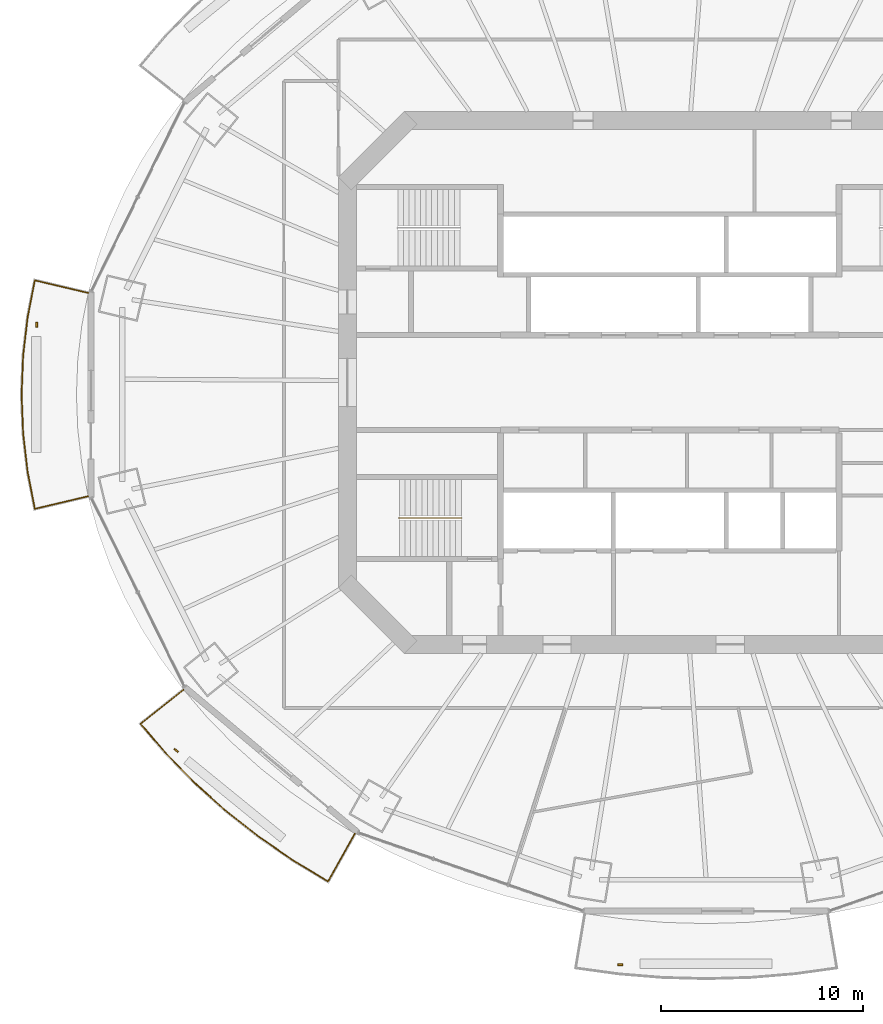
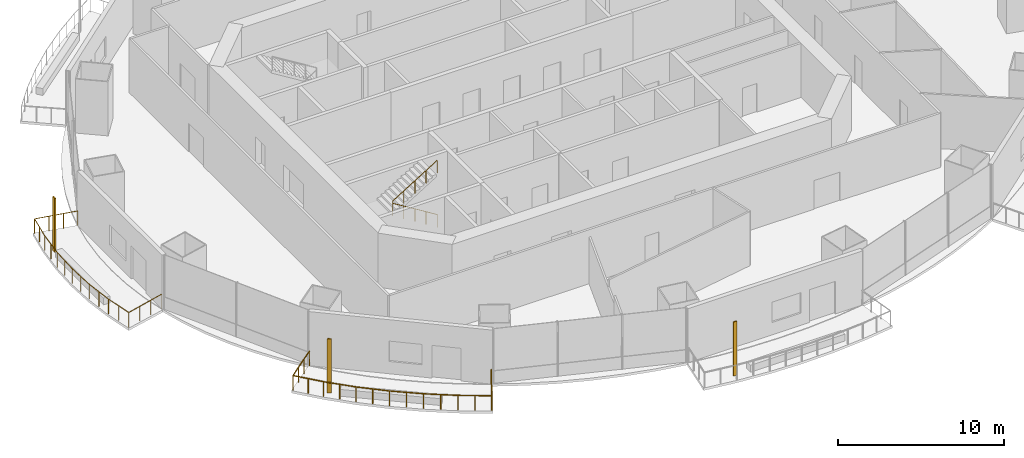
# One storey, part 15 of 20: 3 railings, 3 shading devices.
"""IFC4 building model written with IfcOpenShell, lengths in metres."""

from ifc_helpers import new_model, si_unit, direction, frame, origin, origin_2d, place, context, subcontext, project, spatial, rectangle, circle, extrude, material, material_profile, profile_set, type_object, element, save


model = new_model("IFC4")

# Units and contexts
model_context = context("Model", 3, precision=1e-05, world=origin(), true_north=direction((0.0, 1.0)))
body_context = subcontext(model_context, "Body", "Model", "MODEL_VIEW")
ifc_project = project(units=[si_unit("LENGTHUNIT", "METRE"), si_unit("AREAUNIT", "SQUARE_METRE"), si_unit("VOLUMEUNIT", "CUBIC_METRE"), si_unit("PLANEANGLEUNIT", "RADIAN"), si_unit("MASSUNIT", "GRAM", prefix="KILO")], contexts=[model_context])

# Site, building, storey
site_placement = place(None, origin())
site = spatial("IfcSite", under=ifc_project, at=site_placement, CompositionType="ELEMENT")
building_placement = place(site_placement, origin())
building = spatial("IfcBuilding", under=site, at=building_placement, Name="Marenthal Gate Tower", CompositionType="ELEMENT")
storey_placement = place(building_placement, frame((0.0, 0.0, 219.14990234375)))
storey = spatial("IfcBuildingStorey", under=building, at=storey_placement, Name="L48", CompositionType="ELEMENT", Elevation=219.14990234375)

# Railings
ifc_material_1 = material(Name="Stainless steel", Category="steel")
railing_type_1 = type_object("IfcRailingType", Name="Balcony guard 1100", PredefinedType="GUARDRAIL", material=ifc_material_1)
railing_1_placement = place(storey_placement, frame((-28.867919921875, -5.643310546875, 0.0)))
element("IfcRailing", 1, at=railing_1_placement, inside=storey, type_object=railing_type_1, Name="Balcony guard L48 bay 8", PredefinedType="GUARDRAIL", context=body_context, shape_type="SweptSolid", body=[
    extrude(circle(Radius=0.02392578125, at=origin_2d()), frame((0.0, 0.0, 1.076171875), z_axis=(-0.973033335279, -0.230200194152, -0.014628706295), x_axis=(0.230224829417, -0.973137466096, 0.0)), (0.0, 0.0, 1.0), 2.72021484375),
    extrude(circle(Radius=0.02392578125, at=origin_2d()), frame((-2.64697265625, -0.626220703125, 1.0361328125), z_axis=(-0.191182873219, 0.981554435061, 0.0), x_axis=(-0.981554435061, -0.191182873219, 0.0)), (0.0, 0.0, 1.0), 1.856689453125),
    extrude(circle(Radius=0.02392578125, at=origin_2d()), frame((-3.001953125, 1.1962890625, 1.0361328125), z_axis=(-0.116503993111, 0.993190223265, 0.0), x_axis=(-0.993190223265, -0.116503993111, 0.0)), (0.0, 0.0, 1.0), 1.93212890625),
    extrude(circle(Radius=0.02392578125, at=origin_2d()), frame((-3.22705078125, 3.115234375, 1.0361328125), z_axis=(-0.038846179196, 0.999245202321, 0.0), x_axis=(-0.999245202321, -0.038846179196, 0.0)), (0.0, 0.0, 1.0), 1.929443359375),
    extrude(circle(Radius=0.02392578125, at=origin_2d()), frame((-3.302001953125, 5.043212890625, 1.0361328125), z_axis=(0.038841268134, 0.999245393229, 0.0), x_axis=(-0.999245393229, 0.038841268134, 0.0)), (0.0, 0.0, 1.0), 1.9296875),
    extrude(circle(Radius=0.02392578125, at=origin_2d()), frame((-3.22705078125, 6.971435546875, 1.0361328125), z_axis=(0.116503993111, 0.993190223265, 0.0), x_axis=(-0.993190223265, 0.116503993111, 0.0)), (0.0, 0.0, 1.0), 1.93212890625),
    extrude(circle(Radius=0.02392578125, at=origin_2d()), frame((-3.001953125, 8.890380859375, 1.0361328125), z_axis=(0.19120755082, 0.981549628144, 0.0), x_axis=(-0.981549628144, 0.19120755082, 0.0)), (0.0, 0.0, 1.0), 1.8564453125),
    extrude(circle(Radius=0.02392578125, at=origin_2d()), frame((-2.64697265625, 10.712646484375, 1.0361328125), z_axis=(0.97305343456, -0.23011520072, 0.01462900847), x_axis=(0.230139827907, 0.97315757183, 0.0)), (0.0, 0.0, 1.0), 2.72021484375),
    extrude(circle(Radius=0.02099609375, at=origin_2d()), origin(), (0.0, 0.0, 1.0), 1.052001953125),
    extrude(circle(Radius=0.02099609375, at=origin_2d()), frame((-0.88232421875, -0.208740234375, -0.01318359375)), (0.0, 0.0, 1.0), 1.052001953125),
    extrude(circle(Radius=0.02099609375, at=origin_2d()), frame((-1.7646484375, -0.41748046875, -0.026611328125)), (0.0, 0.0, 1.0), 1.052001953125),
    extrude(circle(Radius=0.02099609375, at=origin_2d()), frame((-2.64697265625, -0.626220703125, -0.039794921875)), (0.0, 0.0, 1.0), 1.052001953125),
    extrude(circle(Radius=0.02099609375, at=origin_2d()), frame((-2.824462890625, 0.28515625, -0.039794921875)), (0.0, 0.0, 1.0), 1.052001953125),
    extrude(circle(Radius=0.02099609375, at=origin_2d()), frame((-3.001953125, 1.1962890625, -0.039794921875)), (0.0, 0.0, 1.0), 1.052001953125),
    extrude(circle(Radius=0.02099609375, at=origin_2d()), frame((-3.114501953125, 2.15576171875, -0.039794921875)), (0.0, 0.0, 1.0), 1.052001953125),
    extrude(circle(Radius=0.02099609375, at=origin_2d()), frame((-3.22705078125, 3.115234375, -0.039794921875)), (0.0, 0.0, 1.0), 1.052001953125),
    extrude(circle(Radius=0.02099609375, at=origin_2d()), frame((-3.2646484375, 4.0791015625, -0.039794921875)), (0.0, 0.0, 1.0), 1.052001953125),
    extrude(circle(Radius=0.02099609375, at=origin_2d()), frame((-3.302001953125, 5.043212890625, -0.039794921875)), (0.0, 0.0, 1.0), 1.052001953125),
    extrude(circle(Radius=0.02099609375, at=origin_2d()), frame((-3.2646484375, 6.00732421875, -0.039794921875)), (0.0, 0.0, 1.0), 1.052001953125),
    extrude(circle(Radius=0.02099609375, at=origin_2d()), frame((-3.22705078125, 6.971435546875, -0.039794921875)), (0.0, 0.0, 1.0), 1.052001953125),
    extrude(circle(Radius=0.02099609375, at=origin_2d()), frame((-3.114501953125, 7.930908203125, -0.039794921875)), (0.0, 0.0, 1.0), 1.052001953125),
    extrude(circle(Radius=0.02099609375, at=origin_2d()), frame((-3.001953125, 8.890380859375, -0.039794921875)), (0.0, 0.0, 1.0), 1.052001953125),
    extrude(circle(Radius=0.02099609375, at=origin_2d()), frame((-2.824462890625, 9.801513671875, -0.039794921875)), (0.0, 0.0, 1.0), 1.052001953125),
    extrude(circle(Radius=0.02099609375, at=origin_2d()), frame((-2.64697265625, 10.712646484375, -0.039794921875)), (0.0, 0.0, 1.0), 1.052001953125),
    extrude(circle(Radius=0.02099609375, at=origin_2d()), frame((-1.7646484375, 10.50390625, -0.026611328125)), (0.0, 0.0, 1.0), 1.052001953125),
    extrude(circle(Radius=0.02099609375, at=origin_2d()), frame((-0.88232421875, 10.29541015625, -0.01318359375)), (0.0, 0.0, 1.0), 1.052001953125),
    extrude(circle(Radius=0.02099609375, at=origin_2d()), frame((0.0, 10.086669921875, 0.0)), (0.0, 0.0, 1.0), 1.052001953125),
])
railing_2_placement = place(storey_placement, frame((-15.63134765625, -22.386962890625, 0.0)))
element("IfcRailing", 2, at=railing_2_placement, inside=storey, type_object=railing_type_1, Name="Balcony guard L48 bay 10", PredefinedType="GUARDRAIL", context=body_context, shape_type="SweptSolid", body=[
    extrude(circle(Radius=0.02392578125, at=origin_2d()), frame((0.0, 0.0, 1.076171875), z_axis=(-0.489761297228, -0.871733824441, -0.014629116996), x_axis=(0.871827119757, -0.489813712809, 0.0)), (0.0, 0.0, 1.0), 2.72021484375),
    extrude(circle(Radius=0.02392578125, at=origin_2d()), frame((-1.332275390625, -2.371337890625, 1.0361328125), z_axis=(-0.856107698036, 0.516797454873, 0.0), x_axis=(-0.516797454873, -0.856107698036, 0.0)), (0.0, 0.0, 1.0), 2.026123046875),
    extrude(circle(Radius=0.02392578125, at=origin_2d()), frame((-3.06689453125, -1.32421875, 1.0361328125), z_axis=(-0.823321977979, 0.567574594724, 0.0), x_axis=(-0.567574594724, -0.823321977979, 0.0)), (0.0, 0.0, 1.0), 2.089599609375),
    extrude(circle(Radius=0.02392578125, at=origin_2d()), frame((-4.787353515625, -0.13818359375, 1.0361328125), z_axis=(-0.78593395674, 0.618310452477, 0.0), x_axis=(-0.618310452477, -0.78593395674, 0.0)), (0.0, 0.0, 1.0), 2.072509765625),
    extrude(circle(Radius=0.02392578125, at=origin_2d()), frame((-6.416259765625, 1.143310546875, 1.0361328125), z_axis=(-0.744380056443, 0.667756191712, 0.0), x_axis=(-0.667756191712, -0.744380056443, 0.0)), (0.0, 0.0, 1.0), 2.05517578125),
    extrude(circle(Radius=0.02392578125, at=origin_2d()), frame((-7.946044921875, 2.515625, 1.0361328125), z_axis=(-0.698792276333, 0.715324649748, 0.0), x_axis=(-0.715324649748, -0.698792276333, 0.0)), (0.0, 0.0, 1.0), 2.037841796875),
    extrude(circle(Radius=0.02392578125, at=origin_2d()), frame((-9.3701171875, 3.973388671875, 1.0361328125), z_axis=(-0.650003821806, 0.759930938729, 0.0), x_axis=(-0.759930938729, -0.650003821806, 0.0)), (0.0, 0.0, 1.0), 1.941162109375),
    extrude(circle(Radius=0.02392578125, at=origin_2d()), frame((-10.6318359375, 5.448486328125, 1.0361328125), z_axis=(0.782856051736, 0.622030871786, 0.01462862965), x_axis=(-0.622097438779, 0.78293982953, 0.0)), (0.0, 0.0, 1.0), 2.720458984375),
    extrude(circle(Radius=0.02099609375, at=origin_2d()), origin(), (0.0, 0.0, 1.0), 1.052001953125),
    extrude(circle(Radius=0.02099609375, at=origin_2d()), frame((-0.444091796875, -0.79052734375, -0.01318359375)), (0.0, 0.0, 1.0), 1.052001953125),
    extrude(circle(Radius=0.02099609375, at=origin_2d()), frame((-0.88818359375, -1.580810546875, -0.026611328125)), (0.0, 0.0, 1.0), 1.052001953125),
    extrude(circle(Radius=0.02099609375, at=origin_2d()), frame((-1.332275390625, -2.371337890625, -0.039794921875)), (0.0, 0.0, 1.0), 1.052001953125),
    extrude(circle(Radius=0.02099609375, at=origin_2d()), frame((-2.19970703125, -1.84765625, -0.039794921875)), (0.0, 0.0, 1.0), 1.052001953125),
    extrude(circle(Radius=0.02099609375, at=origin_2d()), frame((-3.06689453125, -1.32421875, -0.039794921875)), (0.0, 0.0, 1.0), 1.052001953125),
    extrude(circle(Radius=0.02099609375, at=origin_2d()), frame((-3.92724609375, -0.731201171875, -0.039794921875)), (0.0, 0.0, 1.0), 1.052001953125),
    extrude(circle(Radius=0.02099609375, at=origin_2d()), frame((-4.787353515625, -0.13818359375, -0.039794921875)), (0.0, 0.0, 1.0), 1.052001953125),
    extrude(circle(Radius=0.02099609375, at=origin_2d()), frame((-5.601806640625, 0.50244140625, -0.039794921875)), (0.0, 0.0, 1.0), 1.052001953125),
    extrude(circle(Radius=0.02099609375, at=origin_2d()), frame((-6.416259765625, 1.143310546875, -0.039794921875)), (0.0, 0.0, 1.0), 1.052001953125),
    extrude(circle(Radius=0.02099609375, at=origin_2d()), frame((-7.18115234375, 1.82958984375, -0.039794921875)), (0.0, 0.0, 1.0), 1.052001953125),
    extrude(circle(Radius=0.02099609375, at=origin_2d()), frame((-7.946044921875, 2.515625, -0.039794921875)), (0.0, 0.0, 1.0), 1.052001953125),
    extrude(circle(Radius=0.02099609375, at=origin_2d()), frame((-8.658203125, 3.24462890625, -0.039794921875)), (0.0, 0.0, 1.0), 1.052001953125),
    extrude(circle(Radius=0.02099609375, at=origin_2d()), frame((-9.3701171875, 3.973388671875, -0.039794921875)), (0.0, 0.0, 1.0), 1.052001953125),
    extrude(circle(Radius=0.02099609375, at=origin_2d()), frame((-10.0009765625, 4.7109375, -0.039794921875)), (0.0, 0.0, 1.0), 1.052001953125),
    extrude(circle(Radius=0.02099609375, at=origin_2d()), frame((-10.6318359375, 5.448486328125, -0.039794921875)), (0.0, 0.0, 1.0), 1.052001953125),
    extrude(circle(Radius=0.02099609375, at=origin_2d()), frame((-9.921875, 6.012451171875, -0.026611328125)), (0.0, 0.0, 1.0), 1.052001953125),
    extrude(circle(Radius=0.02099609375, at=origin_2d()), frame((-9.212158203125, 6.57666015625, -0.01318359375)), (0.0, 0.0, 1.0), 1.052001953125),
    extrude(circle(Radius=0.02099609375, at=origin_2d()), frame((-8.502197265625, 7.140625, 0.0)), (0.0, 0.0, 1.0), 1.052001953125),
])
ifc_material_2 = material(Name="Stainless steel", Category="steel")
railing_type_2 = type_object("IfcRailingType", Name="Stair handrail", PredefinedType="HANDRAIL", material=ifc_material_2)
railing_3_placement = place(storey_placement, frame((-10.35009765625, -6.72509765625, 0.173095703125)))
element("IfcRailing", 3, at=railing_3_placement, inside=storey, type_object=railing_type_2, Name="Handrail ST2", PredefinedType="HANDRAIL", context=body_context, shape_type="SweptSolid", body=[
    extrude(circle(Radius=0.0224609375, at=origin_2d()), frame((0.0, 0.0, 0.927490234375), z_axis=(-0.850816621229, 0.0, 0.525462726595), x_axis=(0.0, -1.0, 0.0)), (0.0, 0.0, 1.0), 3.619873046875),
    extrude(circle(Radius=0.0224609375, at=origin_2d()), frame((-3.079833984375, 0.0, 2.82958984375), z_axis=(0.0, 0.0, 1.0), x_axis=(1.0, 0.0, 0.0)), (0.0, 0.0, 1.0), 0.1728515625),
    extrude(circle(Radius=0.0224609375, at=origin_2d()), frame((-3.079833984375, 0.0, 3.00244140625), z_axis=(0.850816621229, 0.0, 0.525462726595), x_axis=(0.0, 1.0, 0.0)), (0.0, 0.0, 1.0), 3.619873046875),
    extrude(circle(Radius=0.02001953125, at=origin_2d()), origin(), (0.0, 0.0, 1.0), 0.905029296875),
    extrude(circle(Radius=0.02001953125, at=origin_2d()), frame((-0.77001953125, 0.0, 0.4755859375)), (0.0, 0.0, 1.0), 0.905029296875),
    extrude(circle(Radius=0.02001953125, at=origin_2d()), frame((-1.5400390625, 0.0, 0.951171875)), (0.0, 0.0, 1.0), 0.905029296875),
    extrude(circle(Radius=0.02001953125, at=origin_2d()), frame((-2.309814453125, 0.0, 1.426513671875)), (0.0, 0.0, 1.0), 0.905029296875),
    extrude(circle(Radius=0.02001953125, at=origin_2d()), frame((-3.079833984375, 0.0, 1.902099609375)), (0.0, 0.0, 1.0), 0.905029296875),
    extrude(circle(Radius=0.02001953125, at=origin_2d()), frame((-3.079833984375, 0.0, 2.074951171875)), (0.0, 0.0, 1.0), 0.905029296875),
    extrude(circle(Radius=0.02001953125, at=origin_2d()), frame((-2.309814453125, 0.0, 2.550537109375)), (0.0, 0.0, 1.0), 0.905029296875),
    extrude(circle(Radius=0.02001953125, at=origin_2d()), frame((-1.5400390625, 0.0, 3.02587890625)), (0.0, 0.0, 1.0), 0.905029296875),
    extrude(circle(Radius=0.02001953125, at=origin_2d()), frame((-0.77001953125, 0.0, 3.50146484375)), (0.0, 0.0, 1.0), 0.905029296875),
    extrude(circle(Radius=0.02001953125, at=origin_2d()), frame((0.0, 0.0, 3.97705078125)), (0.0, 0.0, 1.0), 0.905029296875),
])

# Shading devices
ifc_material_3 = material(Name="Terracotta", Category="masonry")
ifc_material_profile = material_profile(ifc_material_3, rectangle(XDim=0.25, YDim=0.080078125, at=origin_2d()), Name="Terracotta baguette 250x80")
ifc_profile_set = profile_set([ifc_material_profile], Name="Terracotta")
shading_device_type = type_object("IfcShadingDeviceType", Name="Terracotta BAGUETTE SCREEN 250x80", PredefinedType="USERDEFINED", material=ifc_profile_set)
for number, where, z_axis, x_axis, name in (
    (4, (-31.41796875, 2.8662109375, -0.039794921875), (0.0, 0.0, 1.0), (0.0, -1.0, 0.0), "Terracotta BAGUETTE L48 bay 8L"),
    (5, (-24.4970703125, -18.259765625, -0.039794921875), (0.0, 0.0, 1.0), (0.765627996549, -0.643283585131, 0.0), "Terracotta BAGUETTE L48 bay 10L"),
    (6, (-2.4580078125, -28.89501953125, -0.039794921875), (0.0, 0.0, 1.0), (1.0, 0.0, 0.0), "Terracotta BAGUETTE L48 bay 12L"),
):
    element("IfcShadingDevice", number, at=place(storey_placement, frame(where, z_axis=z_axis, x_axis=x_axis)), inside=storey, type_object=shading_device_type, Name=name, ObjectType="BAGUETTE SCREEN", PredefinedType="USERDEFINED", context=body_context, shape_type="SweptSolid", body=[
        extrude(rectangle(XDim=0.25, YDim=0.080078125, at=origin_2d()), origin(), (0.0, 0.0, 1.0), 3.969970703125),
    ])

save(model, "model.ifc")
